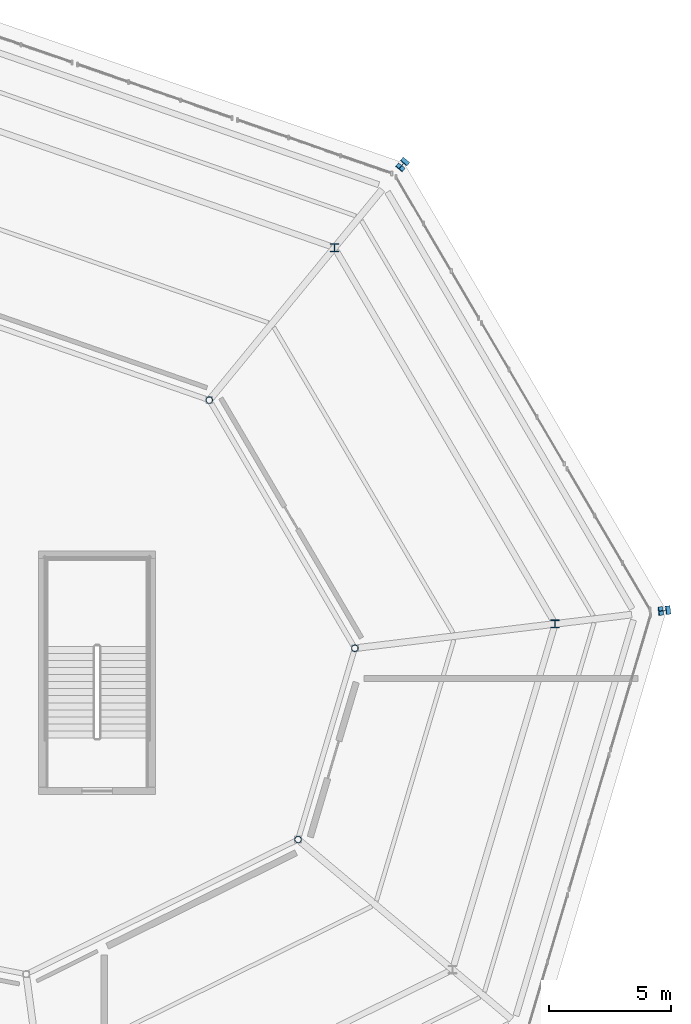
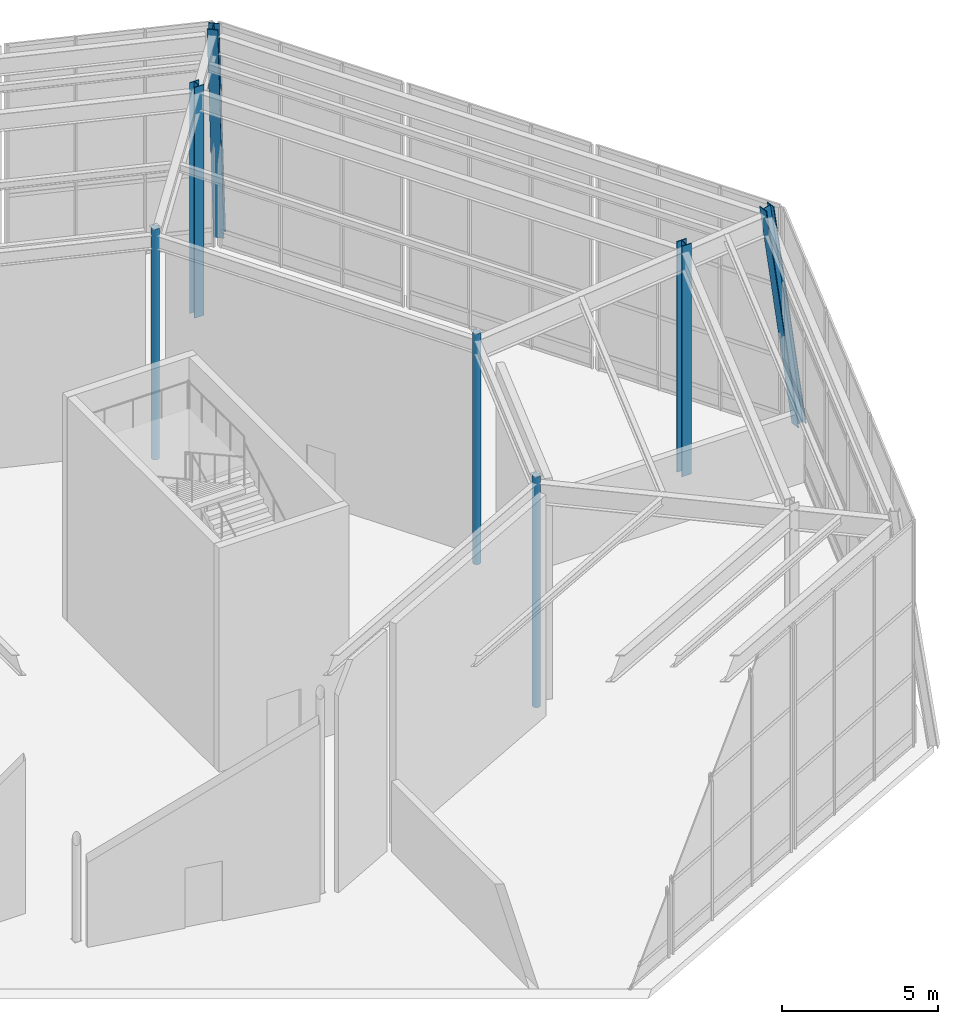
# One storey, part 9 of 48: 7 columns.
"""IFC4 building model written with IfcOpenShell, lengths in metres."""

from ifc_helpers import new_model, si_unit, direction, frame, origin, origin_2d, place, context, subcontext, project, spatial, hollow_circle, i_section, extrude, material, material_profile, profile_set, type_object, element, save


model = new_model("IFC4")

# Units and contexts
model_context = context("Model", 3, precision=1e-05, world=origin(), true_north=direction((0.0, 1.0)))
body_context = subcontext(model_context, "Body", "Model", "MODEL_VIEW")
ifc_project = project(units=[si_unit("LENGTHUNIT", "METRE"), si_unit("AREAUNIT", "SQUARE_METRE"), si_unit("VOLUMEUNIT", "CUBIC_METRE"), si_unit("PLANEANGLEUNIT", "RADIAN"), si_unit("MASSUNIT", "GRAM", prefix="KILO")], contexts=[model_context])

# Site, building, storey
site_placement = place(None, origin())
site = spatial("IfcSite", under=ifc_project, at=site_placement, CompositionType="ELEMENT")
building_placement = place(site_placement, origin())
building = spatial("IfcBuilding", under=site, at=building_placement, Name="Sarnbrook Museum", CompositionType="ELEMENT")
storey_placement = place(building_placement, frame((0.0, 0.0, 19.10009765625)))
storey = spatial("IfcBuildingStorey", under=building, at=storey_placement, Name="L04", CompositionType="ELEMENT", Elevation=19.10009765625)

# Columns
ifc_material_1 = material(Name="Structural Steel Hollow Section Grade C350L0 (AS/NZS 1163, fy = 350 MPa)", Category="steel")
ifc_material_profile_1 = material_profile(ifc_material_1, hollow_circle(Radius=0.136474609375, WallThickness=0.00927734375, at=origin_2d()), Name="273.1x9.3CHS")
ifc_profile_set_1 = profile_set([ifc_material_profile_1], Name="Structural Steel Hollow Section Grade C350L0 (AS/NZS 1163, fy = 350 MPa)")
column_type_1 = type_object("IfcColumnType", Name="COL-CHS273", PredefinedType="COLUMN", material=ifc_profile_set_1)
for number, where, z_axis, x_axis, name in (
    (1, (152.05029296875, 78.356201171875, 0.0), (0.0, 0.0, 1.0), (1.0, 0.0, 0.0), "Crystal Gallery Feature Column R2-3 L04"),
    (2, (154.382080078125, 86.210205078125, 0.0), (0.0, 0.0, 1.0), (1.0, 0.0, 0.0), "Crystal Gallery Feature Column R2-4 L04"),
    (3, (148.40576171875, 96.39599609375, 0.0), (0.0, 0.0, 1.0), (1.0, 0.0, 0.0), "Crystal Gallery Feature Column R2-5 L04"),
):
    element("IfcColumn", number, at=place(storey_placement, frame(where, z_axis=z_axis, x_axis=x_axis)), inside=storey, type_object=column_type_1, Name=name, PredefinedType="COLUMN", context=body_context, shape_type="SweptSolid", body=[
        extrude(hollow_circle(Radius=0.136474609375, WallThickness=0.00927734375, at=origin_2d()), origin(), (0.0, 0.0, 1.0), 9.0),
    ])
ifc_material_2 = material(Name="Structural Steel Grade 350L0 (AS/NZS 3678, fy = 340 MPa for 20 < t <= 40 mm)", Category="steel")
ifc_material_profile_2 = material_profile(ifc_material_2, i_section(OverallWidth=0.35009765625, OverallDepth=0.3310546875, WebThickness=0.02001953125, FlangeThickness=0.028076171875, at=origin_2d()), Name="350WC197")
ifc_profile_set_2 = profile_set([ifc_material_profile_2], Name="Structural Steel Grade 350L0 (AS/NZS 3678, fy = 340 MPa for 20 < t <= 40 mm)")
column_type_2 = type_object("IfcColumnType", Name="COL-WC350", PredefinedType="COLUMN", material=ifc_profile_set_2)
column_1_placement = place(storey_placement, frame((167.176513671875, 87.76611328125, 0.0), z_axis=(-0.141024604675, -0.017158172579, 0.989857392754), x_axis=(0.12077728174, -0.992679630201, 0.0)))
element("IfcColumn", 4, at=column_1_placement, inside=storey, type_object=column_type_2, Name="Raking Crystal Rib Column V4 L04", PredefinedType="COLUMN", context=body_context, shape_type="SweptSolid", body=[
    extrude(i_section(OverallWidth=0.35009765625, OverallDepth=0.3310546875, WebThickness=0.02001953125, FlangeThickness=0.028076171875, at=origin_2d()), origin(), (0.0, 0.0, 1.0), 9.09228515625),
])
column_2_placement = place(storey_placement, frame((162.606689453125, 87.21044921875, 0.0), z_axis=(0.0, 0.0, 1.0), x_axis=(1.0, 0.0, 0.0)))
element("IfcColumn", 5, at=column_2_placement, inside=storey, type_object=column_type_2, Name="Crystal Hall Ring Column R1-4 L04", PredefinedType="COLUMN", context=body_context, shape_type="SweptSolid", body=[
    extrude(i_section(OverallWidth=0.35009765625, OverallDepth=0.3310546875, WebThickness=0.02001953125, FlangeThickness=0.028076171875, at=origin_2d()), origin(), (0.0, 0.0, 1.0), 9.0),
])
column_3_placement = place(storey_placement, frame((156.3984375, 106.1357421875, 0.0), z_axis=(-0.088139600874, -0.107400830324, 0.990301202869), x_axis=(0.773017451422, -0.634384756908, 0.0)))
element("IfcColumn", 6, at=column_3_placement, inside=storey, type_object=column_type_2, Name="Raking Crystal Rib Column V5 L04", PredefinedType="COLUMN", context=body_context, shape_type="SweptSolid", body=[
    extrude(i_section(OverallWidth=0.35009765625, OverallDepth=0.3310546875, WebThickness=0.02001953125, FlangeThickness=0.028076171875, at=origin_2d()), origin(), (0.0, 0.0, 1.0), 9.088134765625),
])
column_4_placement = place(storey_placement, frame((153.543701171875, 102.656982421875, 0.0), z_axis=(0.0, 0.0, 1.0), x_axis=(1.0, 0.0, 0.0)))
element("IfcColumn", 7, at=column_4_placement, inside=storey, type_object=column_type_2, Name="Crystal Hall Ring Column R1-5 L04", PredefinedType="COLUMN", context=body_context, shape_type="SweptSolid", body=[
    extrude(i_section(OverallWidth=0.35009765625, OverallDepth=0.3310546875, WebThickness=0.02001953125, FlangeThickness=0.028076171875, at=origin_2d()), origin(), (0.0, 0.0, 1.0), 9.0),
])

save(model, "model.ifc")
